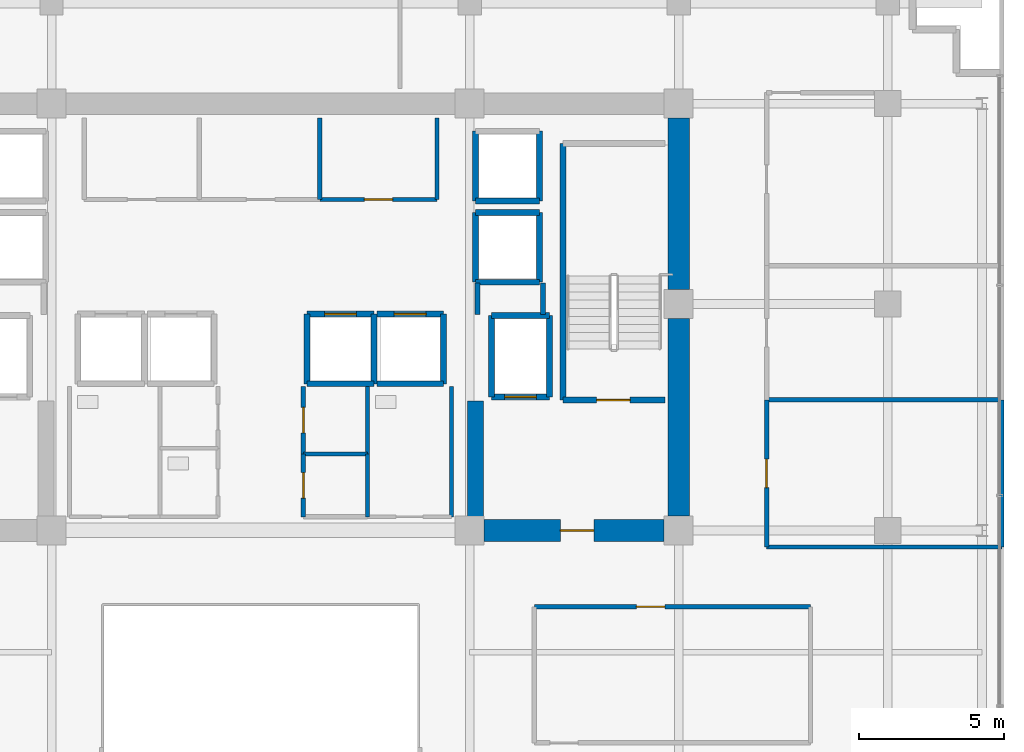
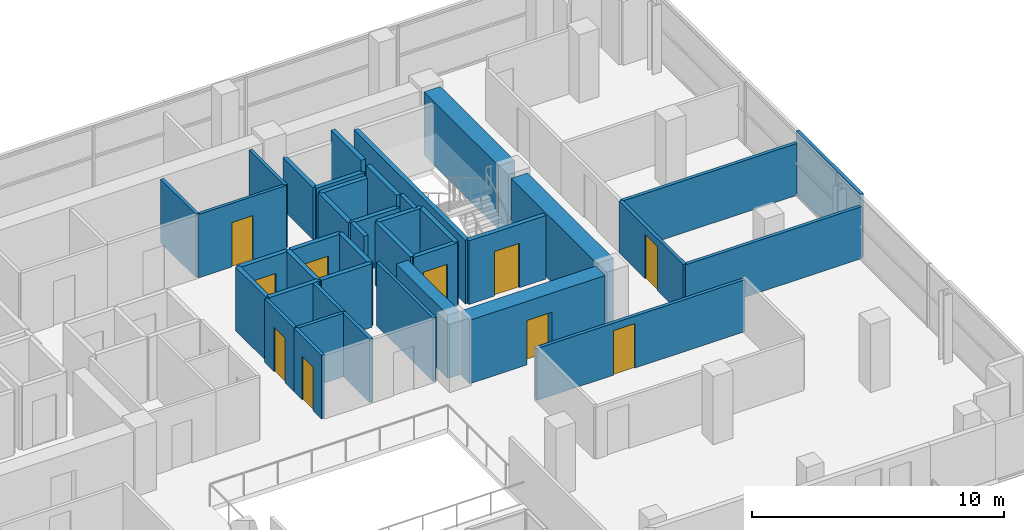
# One storey, part 22 of 27: 40 walls, 10 doors, 10 openings.
"""IFC4 building model written with IfcOpenShell, lengths in metres."""

from ifc_helpers import new_model, si_unit, direction, frame, frame_2d, origin, place, context, subcontext, project, spatial, rectangle, extrude, source, transform, mapped, material, layer, layer_set, type_object, element, fill, save


model = new_model("IFC4")

# Units and contexts
model_context = context("Model", 3, precision=1e-05, world=origin(), true_north=direction((0.0, 1.0)))
body_context = subcontext(model_context, "Body", "Model", "MODEL_VIEW")
ifc_project = project(units=[si_unit("LENGTHUNIT", "METRE"), si_unit("AREAUNIT", "SQUARE_METRE"), si_unit("VOLUMEUNIT", "CUBIC_METRE"), si_unit("PLANEANGLEUNIT", "RADIAN"), si_unit("MASSUNIT", "GRAM", prefix="KILO")], contexts=[model_context])

# Site, building, storey
site_placement = place(None, origin())
site = spatial("IfcSite", under=ifc_project, at=site_placement, CompositionType="ELEMENT")
building_placement = place(site_placement, origin())
building = spatial("IfcBuilding", under=site, at=building_placement, Name="Zarnakvel Exchange Tower", CompositionType="ELEMENT")
storey_placement = place(building_placement, frame((0.0, 0.0, 96.699951171875)))
storey = spatial("IfcBuildingStorey", under=building, at=storey_placement, Name="L26", CompositionType="ELEMENT", Elevation=96.699951171875)

# Walls
ifc_material_1 = material(Name="Concrete C60/75", Category="concrete")
ifc_layer_1 = layer(ifc_material_1, 0.75)
ifc_layer_set_1 = layer_set([ifc_layer_1], Name="Concrete C60/75")
wall_type_1 = type_object("IfcWallType", Name="CW-C3", PredefinedType="SHEAR", material=ifc_layer_set_1)
wall_1_placement = place(storey_placement, frame((14.39990234375, -0.699951171875, 0.0), z_axis=(0.0, 0.0, 1.0), x_axis=(0.0, 1.0, 0.0)))
element("IfcWall", 1, at=wall_1_placement, inside=storey, type_object=wall_type_1, Name="L26 Rear Core Shear Wall E1 (CW-C3)", PredefinedType="SHEAR", context=body_context, shape_type="SweptSolid", body=[
    extrude(rectangle(XDim=6.800048828125, YDim=0.75, at=frame_2d((3.39990234375, 0.0))), origin(), (0.0, 0.0, 1.0), 3.074951171875),
])
wall_2_placement = place(storey_placement, frame((14.39990234375, 7.10009765625, 0.0), z_axis=(0.0, 0.0, 1.0), x_axis=(0.0, 1.0, 0.0)))
element("IfcWall", 2, at=wall_2_placement, inside=storey, type_object=wall_type_1, Name="L26 Rear Core Shear Wall E2 (CW-C3)", PredefinedType="SHEAR", context=body_context, shape_type="SweptSolid", body=[
    extrude(rectangle(XDim=5.89990234375, YDim=0.75, at=frame_2d((2.949951171875, 0.0))), origin(), (0.0, 0.0, 1.0), 3.074951171875),
])

# Wall, opening, door
wall_3_placement = place(storey_placement, frame((13.89990234375, -1.199951171875, 0.0), z_axis=(0.0, 0.0, 1.0), x_axis=(-1.0, 0.0, 0.0)))
wall_3 = element("IfcWall", 3, at=wall_3_placement, inside=storey, type_object=wall_type_1, Name="L26 Rear Core Shear Wall SE (CW-C3)", PredefinedType="SHEAR", context=body_context, shape_type="SweptSolid", body=[
    extrude(rectangle(XDim=6.199951171875, YDim=0.75, at=frame_2d((3.10009765625, 0.0))), origin(), (0.0, 0.0, 1.0), 3.074951171875),
])
opening_1_placement = place(wall_3_placement, frame((2.425048828125, 0.0, 0.0)))
opening_1 = element("IfcOpeningElement", 4, at=opening_1_placement, cuts=wall_3, Name="Opening D-L26-04", PredefinedType="OPENING", context=body_context, shape_type="SweptSolid", body=[
    extrude(rectangle(XDim=1.14990234375, YDim=2.14990234375, at=frame_2d((0.574951171875, 1.074951171875))), frame((0.0, 0.385009765625, 0.0), z_axis=(0.0, -1.0, 0.0), x_axis=(1.0, 0.0, 0.0)), (0.0, 0.0, 1.0), 0.77001953125),
])
ifc_material_2 = material(Name="Painted Galvanised Steel S355", Category="steel")
door_type_1 = type_object("IfcDoorType", Name="DT-04", OperationType="NOTDEFINED", PredefinedType="DOOR", material=ifc_material_2)
shared_shape_1 = source(origin(), body_context, "Body", "SweptSolid", [
    extrude(rectangle(XDim=1.14990234375, YDim=2.14990234375, at=frame_2d((0.574951171875, 1.074951171875))), frame((0.0, 0.02490234375, 0.0), z_axis=(0.0, -1.0, 0.0), x_axis=(1.0, 0.0, 0.0)), (0.0, 0.0, 1.0), 0.050048828125),
])
door_1_placement = place(opening_1_placement, origin())
door_1 = element("IfcDoor", 5, at=door_1_placement, inside=storey, type_object=door_type_1, Name="L26 Firefighting Lobby East Door D-L26-04", OperationType="SINGLE_SWING_LEFT", OverallHeight=2.14990234375, OverallWidth=1.14990234375, PredefinedType="DOOR", context=body_context, shape_type="MappedRepresentation", body=[
    mapped(shared_shape_1, transform((0.0, 0.0, 0.0), x_axis=(1.0, 0.0, 0.0), y_axis=(0.0, 1.0, 0.0), z_axis=(0.0, 0.0, 1.0), scale=1.0)),
])
fill(opening_1, door_1)

# Walls
ifc_layer_2 = layer(ifc_material_1, 0.550048828125)
ifc_layer_set_2 = layer_set([ifc_layer_2], Name="Concrete C60/75")
wall_type_2 = type_object("IfcWallType", Name="CW-C4", PredefinedType="SHEAR", material=ifc_layer_set_2)
wall_4_placement = place(storey_placement, frame((7.39990234375, -0.824951171875, 0.0), z_axis=(0.0, 0.0, 1.0), x_axis=(0.0, 1.0, 0.0)))
element("IfcWall", 6, at=wall_4_placement, inside=storey, type_object=wall_type_2, Name="L26 Rear Core Shear Wall IE (CW-C4)", PredefinedType="SHEAR", context=body_context, shape_type="SweptSolid", body=[
    extrude(rectangle(XDim=4.074951171875, YDim=0.550048828125, at=frame_2d((2.03759765625, 0.0))), origin(), (0.0, 0.0, 1.0), 3.074951171875),
])
ifc_material_3 = material(Name="Fire-Rated Gypsum Stud Partition", Category="gypsum")
ifc_layer_3 = layer(ifc_material_3, 0.14990234375)
ifc_layer_set_3 = layer_set([ifc_layer_3], Name="Fire-Rated Gypsum Stud Partition")
wall_type_3 = type_object("IfcWallType", Name="PT-01", PredefinedType="PARTITIONING", material=ifc_layer_set_3)
wall_5_placement = place(storey_placement, frame((2.0400390625, 13.0, 0.0), z_axis=(0.0, 0.0, 1.0), x_axis=(0.0, -1.0, 0.0)))
element("IfcWall", 7, at=wall_5_placement, inside=storey, type_object=wall_type_3, Name="L26 Partition Wall PWALL-L26-015 (PT-01)", PredefinedType="PARTITIONING", context=body_context, shape_type="SweptSolid", body=[
    extrude(rectangle(XDim=2.800048828125, YDim=0.14990234375, at=frame_2d((1.39990234375, 0.0))), origin(), (0.0, 0.0, 1.0), 3.074951171875),
])
wall_6_placement = place(storey_placement, frame((1.469970703125, 1.429931640625, 0.0), z_axis=(0.0, 0.0, 1.0), x_axis=(1.0, 0.0, 0.0)))
element("IfcWall", 8, at=wall_6_placement, inside=storey, type_object=wall_type_3, Name="L26 Partition Wall PWALL-L26-026 (PT-01)", PredefinedType="PARTITIONING", context=body_context, shape_type="SweptSolid", body=[
    extrude(rectangle(XDim=2.2099609375, YDim=0.14990234375, at=frame_2d((1.10498046875, 0.0))), origin(), (0.0, 0.0, 1.0), 3.074951171875),
])

# Wall, opening, door
wall_7_placement = place(storey_placement, frame((1.469970703125, -0.72998046875, 0.0), z_axis=(0.0, 0.0, 1.0), x_axis=(0.0, 1.0, 0.0)))
wall_7 = element("IfcWall", 9, at=wall_7_placement, inside=storey, type_object=wall_type_3, Name="L26 Partition Wall PWALL-L26-027 (PT-01)", PredefinedType="PARTITIONING", context=body_context, shape_type="SweptSolid", body=[
    extrude(rectangle(XDim=2.159912109375, YDim=0.14990234375, at=frame_2d((1.080078125, 0.0))), origin(), (0.0, 0.0, 1.0), 3.074951171875),
])
opening_2_placement = place(wall_7_placement, frame((0.639892578125, 0.0, 0.0)))
opening_2 = element("IfcOpeningElement", 10, at=opening_2_placement, cuts=wall_7, Name="Opening D-L26-11", PredefinedType="OPENING", context=body_context, shape_type="SweptSolid", body=[
    extrude(rectangle(XDim=0.8798828125, YDim=2.10009765625, at=frame_2d((0.43994140625, 1.050048828125))), frame((0.0, 0.0849609375, 0.0), z_axis=(0.0, -1.0, 0.0), x_axis=(1.0, 0.0, 0.0)), (0.0, 0.0, 1.0), 0.169921875),
])
door_type_2 = type_object("IfcDoorType", Name="DT-08", OperationType="NOTDEFINED", PredefinedType="DOOR", material=ifc_material_2)
shared_shape_2 = source(origin(), body_context, "Body", "SweptSolid", [
    extrude(rectangle(XDim=0.8798828125, YDim=2.10009765625, at=frame_2d((0.43994140625, 1.050048828125))), frame((0.0, 0.02490234375, 0.0), z_axis=(0.0, -1.0, 0.0), x_axis=(1.0, 0.0, 0.0)), (0.0, 0.0, 1.0), 0.050048828125),
])
door_2_placement = place(opening_2_placement, origin())
door_2 = element("IfcDoor", 11, at=door_2_placement, inside=storey, type_object=door_type_2, Name="L26 Janitor Store Door D-L26-11", OperationType="SINGLE_SWING_RIGHT", OverallHeight=2.10009765625, OverallWidth=0.8798828125, PredefinedType="DOOR", context=body_context, shape_type="MappedRepresentation", body=[
    mapped(shared_shape_2, transform((0.0, 0.0, 0.0), x_axis=(1.0, 0.0, 0.0), y_axis=(0.0, 1.0, 0.0), z_axis=(0.0, 0.0, 1.0), scale=1.0)),
])
fill(opening_2, door_2)

# Wall
wall_8_placement = place(storey_placement, frame((3.679931640625, 1.429931640625, 0.0), z_axis=(0.0, 0.0, 1.0), x_axis=(0.0, -1.0, 0.0)))
element("IfcWall", 12, at=wall_8_placement, inside=storey, type_object=wall_type_3, Name="L26 Partition Wall PWALL-L26-028 (PT-01)", PredefinedType="PARTITIONING", context=body_context, shape_type="SweptSolid", body=[
    extrude(rectangle(XDim=2.159912109375, YDim=0.14990234375, at=frame_2d((1.080078125, 0.0))), origin(), (0.0, 0.0, 1.0), 3.074951171875),
])

# Wall, opening, door
wall_9_placement = place(storey_placement, frame((1.469970703125, 1.429931640625, 0.0), z_axis=(0.0, 0.0, 1.0), x_axis=(0.0, 1.0, 0.0)))
wall_9 = element("IfcWall", 13, at=wall_9_placement, inside=storey, type_object=wall_type_3, Name="L26 Partition Wall PWALL-L26-029 (PT-01)", PredefinedType="PARTITIONING", context=body_context, shape_type="SweptSolid", body=[
    extrude(rectangle(XDim=2.330078125, YDim=0.14990234375, at=frame_2d((1.1650390625, 0.0))), origin(), (0.0, 0.0, 1.0), 3.074951171875),
])
opening_3_placement = place(wall_9_placement, frame((0.72998046875, 0.0, 0.0)))
opening_3 = element("IfcOpeningElement", 14, at=opening_3_placement, cuts=wall_9, Name="Opening D-L26-12", PredefinedType="OPENING", context=body_context, shape_type="SweptSolid", body=[
    extrude(rectangle(XDim=0.8798828125, YDim=2.14990234375, at=frame_2d((0.43994140625, 1.074951171875))), frame((0.0, 0.0849609375, 0.0), z_axis=(0.0, -1.0, 0.0), x_axis=(1.0, 0.0, 0.0)), (0.0, 0.0, 1.0), 0.169921875),
])
ifc_material_4 = material(Name="Timber Acoustic Veneer", Category="wood")
door_type_3 = type_object("IfcDoorType", Name="DT-05", OperationType="NOTDEFINED", PredefinedType="DOOR", material=ifc_material_4)
shared_shape_3 = source(origin(), body_context, "Body", "SweptSolid", [
    extrude(rectangle(XDim=0.8798828125, YDim=2.14990234375, at=frame_2d((0.43994140625, 1.074951171875))), frame((0.0, 0.02490234375, 0.0), z_axis=(0.0, -1.0, 0.0), x_axis=(1.0, 0.0, 0.0)), (0.0, 0.0, 1.0), 0.050048828125),
])
door_3_placement = place(opening_3_placement, origin())
door_3 = element("IfcDoor", 15, at=door_3_placement, inside=storey, type_object=door_type_3, Name="L26 Stationery Store Door D-L26-12", OperationType="SINGLE_SWING_LEFT", OverallHeight=2.14990234375, OverallWidth=0.8798828125, PredefinedType="DOOR", context=body_context, shape_type="MappedRepresentation", body=[
    mapped(shared_shape_3, transform((0.0, 0.0, 0.0), x_axis=(1.0, 0.0, 0.0), y_axis=(0.0, 1.0, 0.0), z_axis=(0.0, 0.0, 1.0), scale=1.0)),
])
fill(opening_3, door_3)

# Wall
wall_10_placement = place(storey_placement, frame((3.679931640625, 3.760009765625, 0.0), z_axis=(0.0, 0.0, 1.0), x_axis=(0.0, -1.0, 0.0)))
element("IfcWall", 16, at=wall_10_placement, inside=storey, type_object=wall_type_3, Name="L26 Partition Wall PWALL-L26-030 (PT-01)", PredefinedType="PARTITIONING", context=body_context, shape_type="SweptSolid", body=[
    extrude(rectangle(XDim=2.330078125, YDim=0.14990234375, at=frame_2d((1.1650390625, 0.0))), origin(), (0.0, 0.0, 1.0), 3.074951171875),
])

# Wall, opening, door
wall_11_placement = place(storey_placement, frame((9.429931640625, -3.830078125, 0.0), z_axis=(0.0, 0.0, 1.0), x_axis=(1.0, 0.0, 0.0)))
wall_11 = element("IfcWall", 17, at=wall_11_placement, inside=storey, type_object=wall_type_3, Name="L26 Partition Wall PWALL-L26-044 (PT-01)", PredefinedType="PARTITIONING", context=body_context, shape_type="SweptSolid", body=[
    extrude(rectangle(XDim=9.51123046875, YDim=0.14990234375, at=frame_2d((4.755615234375, 0.0))), origin(), (0.0, 0.0, 1.0), 2.51513671875),
])
opening_4_placement = place(wall_11_placement, frame((3.510009765625, 0.0, 0.0)))
opening_4 = element("IfcOpeningElement", 18, at=opening_4_placement, cuts=wall_11, Name="Opening D-L26-17", PredefinedType="OPENING", context=body_context, shape_type="SweptSolid", body=[
    extrude(rectangle(XDim=0.97998046875, YDim=2.14990234375, at=frame_2d((0.489990234375, 1.074951171875))), frame((0.0, 0.0849609375, 0.0), z_axis=(0.0, -1.0, 0.0), x_axis=(1.0, 0.0, 0.0)), (0.0, 0.0, 1.0), 0.169921875),
])
shared_shape_4 = source(origin(), body_context, "Body", "SweptSolid", [
    extrude(rectangle(XDim=0.97998046875, YDim=2.14990234375, at=frame_2d((0.489990234375, 1.074951171875))), frame((0.0, 0.02490234375, 0.0), z_axis=(0.0, -1.0, 0.0), x_axis=(1.0, 0.0, 0.0)), (0.0, 0.0, 1.0), 0.050048828125),
])
door_4_placement = place(opening_4_placement, origin())
door_4 = element("IfcDoor", 19, at=door_4_placement, inside=storey, type_object=door_type_3, Name="L26 Executive Office Door D-L26-17", OperationType="SINGLE_SWING_RIGHT", OverallHeight=2.14990234375, OverallWidth=0.97998046875, PredefinedType="DOOR", context=body_context, shape_type="MappedRepresentation", body=[
    mapped(shared_shape_4, transform((0.0, 0.0, 0.0), x_axis=(1.0, 0.0, 0.0), y_axis=(0.0, 1.0, 0.0), z_axis=(0.0, 0.0, 1.0), scale=1.0)),
])
fill(opening_4, door_4)

# Walls
for number, where, z_axis, x_axis, name in (
    (20, (25.530029296875, -1.77001953125, 0.0), (0.0, 0.0, 1.0), (-1.0, 0.0, 0.0), "L26 Partition Wall PWALL-L26-054 (PT-01)"),
    (21, (17.429931640625, 3.2978515625, 0.0), (0.0, 0.0, 1.0), (1.0, 0.0, 0.0), "L26 Partition Wall PWALL-L26-055 (PT-01)"),
):
    element("IfcWall", number, at=place(storey_placement, frame(where, z_axis=z_axis, x_axis=x_axis)), inside=storey, type_object=wall_type_3, Name=name, PredefinedType="PARTITIONING", context=body_context, shape_type="SweptSolid", body=[
        extrude(rectangle(XDim=8.10009765625, YDim=0.14990234375, at=frame_2d((4.050048828125, 0.0))), origin(), (0.0, 0.0, 1.0), 2.51513671875),
    ])

# Wall, opening, door
wall_12_placement = place(storey_placement, frame((17.429931640625, -1.77001953125, 0.0), z_axis=(0.0, 0.0, 1.0), x_axis=(0.0, 1.0, 0.0)))
wall_12 = element("IfcWall", 22, at=wall_12_placement, inside=storey, type_object=wall_type_3, Name="L26 Partition Wall PWALL-L26-056 (PT-01)", PredefinedType="PARTITIONING", context=body_context, shape_type="SweptSolid", body=[
    extrude(rectangle(XDim=5.06787109375, YDim=0.14990234375, at=frame_2d((2.533935546875, 0.0))), origin(), (0.0, 0.0, 1.0), 2.51513671875),
])
opening_5_placement = place(wall_12_placement, frame((2.0439453125, 0.0, 0.0)))
opening_5 = element("IfcOpeningElement", 23, at=opening_5_placement, cuts=wall_12, Name="Opening D-L26-20", PredefinedType="OPENING", context=body_context, shape_type="SweptSolid", body=[
    extrude(rectangle(XDim=0.97998046875, YDim=2.14990234375, at=frame_2d((0.489990234375, 1.074951171875))), frame((0.0, 0.0849609375, 0.0), z_axis=(0.0, -1.0, 0.0), x_axis=(1.0, 0.0, 0.0)), (0.0, 0.0, 1.0), 0.169921875),
])
door_5_placement = place(opening_5_placement, origin())
door_5 = element("IfcDoor", 24, at=door_5_placement, inside=storey, type_object=door_type_3, Name="L26 Breakout Pantry Door D-L26-20", OperationType="SINGLE_SWING_LEFT", OverallHeight=2.14990234375, OverallWidth=0.97998046875, PredefinedType="DOOR", context=body_context, shape_type="MappedRepresentation", body=[
    mapped(shared_shape_4, transform((0.0, 0.0, 0.0), x_axis=(1.0, 0.0, 0.0), y_axis=(0.0, 1.0, 0.0), z_axis=(0.0, 0.0, 1.0), scale=1.0)),
])
fill(opening_5, door_5)

# Walls
wall_13_placement = place(storey_placement, frame((25.530029296875, 3.2978515625, 0.0), z_axis=(0.0, 0.0, 1.0), x_axis=(0.0, -1.0, 0.0)))
element("IfcWall", 25, at=wall_13_placement, inside=storey, type_object=wall_type_3, Name="L26 Partition Wall PWALL-L26-057 (PT-01)", PredefinedType="PARTITIONING", context=body_context, shape_type="SweptSolid", body=[
    extrude(rectangle(XDim=5.06787109375, YDim=0.14990234375, at=frame_2d((2.533935546875, 0.0))), origin(), (0.0, 0.0, 1.0), 3.074951171875),
])
ifc_layer_4 = layer(ifc_material_3, 0.179931640625)
ifc_layer_set_4 = layer_set([ifc_layer_4], Name="Fire-Rated Gypsum Stud Partition")
wall_type_4 = type_object("IfcWallType", Name="PT-02", PredefinedType="PARTITIONING", material=ifc_layer_set_4)
wall_14_placement = place(storey_placement, frame((7.469970703125, 6.239990234375, 0.0), z_axis=(0.0, 0.0, 1.0), x_axis=(0.0, 1.0, 0.0)))
element("IfcWall", 26, at=wall_14_placement, inside=storey, type_object=wall_type_4, Name="L26 Partition Wall PWALL-L26-009 (PT-02)", PredefinedType="PARTITIONING", context=body_context, shape_type="SweptSolid", body=[
    extrude(rectangle(XDim=1.090087890625, YDim=0.179931640625, at=frame_2d((0.544921875, 0.0))), origin(), (0.0, 0.0, 1.0), 2.51513671875),
])
wall_15_placement = place(storey_placement, frame((9.72998046875, 7.330078125, 0.0), z_axis=(0.0, 0.0, 1.0), x_axis=(0.0, -1.0, 0.0)))
element("IfcWall", 27, at=wall_15_placement, inside=storey, type_object=wall_type_4, Name="L26 Partition Wall PWALL-L26-010 (PT-02)", PredefinedType="PARTITIONING", context=body_context, shape_type="SweptSolid", body=[
    extrude(rectangle(XDim=1.090087890625, YDim=0.179931640625, at=frame_2d((0.544921875, 0.0))), origin(), (0.0, 0.0, 1.0), 3.074951171875),
])

# Wall, opening, door
ifc_material_5 = material(Name="Moisture-Resistant Tile-Faced Partition", Category="gypsum")
ifc_layer_5 = layer(ifc_material_5, 0.135009765625)
ifc_layer_set_5 = layer_set([ifc_layer_5], Name="Moisture-Resistant Tile-Faced Partition")
wall_type_5 = type_object("IfcWallType", Name="PT-03", PredefinedType="PARTITIONING", material=ifc_layer_set_5)
wall_16_placement = place(storey_placement, frame((6.080078125, 10.199951171875, 0.0), z_axis=(0.0, 0.0, 1.0), x_axis=(-1.0, 0.0, 0.0)))
wall_16 = element("IfcWall", 28, at=wall_16_placement, inside=storey, type_object=wall_type_5, Name="L26 Partition Wall PWALL-L26-016 (PT-03)", PredefinedType="PARTITIONING", context=body_context, shape_type="SweptSolid", body=[
    extrude(rectangle(XDim=4.0400390625, YDim=0.135009765625, at=frame_2d((2.02001953125, 0.0))), origin(), (0.0, 0.0, 1.0), 3.074951171875),
])
opening_6_placement = place(wall_16_placement, frame((1.530029296875, 0.0, 0.0)))
opening_6 = element("IfcOpeningElement", 29, at=opening_6_placement, cuts=wall_16, Name="Opening D-L26-07", PredefinedType="OPENING", context=body_context, shape_type="SweptSolid", body=[
    extrude(rectangle(XDim=0.97998046875, YDim=2.14990234375, at=frame_2d((0.489990234375, 1.074951171875))), frame((0.0, 0.077392578125, 0.0), z_axis=(0.0, -1.0, 0.0), x_axis=(1.0, 0.0, 0.0)), (0.0, 0.0, 1.0), 0.155029296875),
])
door_6_placement = place(opening_6_placement, origin())
door_6 = element("IfcDoor", 30, at=door_6_placement, inside=storey, type_object=door_type_3, Name="L26 Executive Tea Pantry Door D-L26-07", OperationType="SINGLE_SWING_RIGHT", OverallHeight=2.14990234375, OverallWidth=0.97998046875, PredefinedType="DOOR", context=body_context, shape_type="MappedRepresentation", body=[
    mapped(shared_shape_4, transform((0.0, 0.0, 0.0), x_axis=(1.0, 0.0, 0.0), y_axis=(0.0, 1.0, 0.0), z_axis=(0.0, 0.0, 1.0), scale=1.0)),
])
fill(opening_6, door_6)

# Walls
wall_17_placement = place(storey_placement, frame((6.080078125, 13.0, 0.0), z_axis=(0.0, 0.0, 1.0), x_axis=(0.0, -1.0, 0.0)))
element("IfcWall", 31, at=wall_17_placement, inside=storey, type_object=wall_type_5, Name="L26 Partition Wall PWALL-L26-017 (PT-03)", PredefinedType="PARTITIONING", context=body_context, shape_type="SweptSolid", body=[
    extrude(rectangle(XDim=2.800048828125, YDim=0.135009765625, at=frame_2d((1.39990234375, 0.0))), origin(), (0.0, 0.0, 1.0), 3.074951171875),
])
wall_18_placement = place(storey_placement, frame((6.580078125, 3.760009765625, 0.0), z_axis=(0.0, 0.0, 1.0), x_axis=(0.0, -1.0, 0.0)))
element("IfcWall", 32, at=wall_18_placement, inside=storey, type_object=wall_type_5, Name="L26 Partition Wall PWALL-L26-032 (PT-03)", PredefinedType="PARTITIONING", context=body_context, shape_type="SweptSolid", body=[
    extrude(rectangle(XDim=4.489990234375, YDim=0.135009765625, at=frame_2d((2.2451171875, 0.0))), origin(), (0.0, 0.0, 1.0), 3.074951171875),
])

# Wall, opening, door
ifc_material_6 = material(Name="Concrete C40/50", Category="concrete")
ifc_layer_6 = layer(ifc_material_6, 0.199951171875)
ifc_layer_set_6 = layer_set([ifc_layer_6], Name="Concrete C40/50")
wall_type_6 = type_object("IfcWallType", Name="SW-01", PredefinedType="SOLIDWALL", material=ifc_layer_set_6)
wall_19_placement = place(storey_placement, frame((9.949951171875, 3.39990234375, 0.0), z_axis=(0.0, 0.0, 1.0), x_axis=(-1.0, 0.0, 0.0)))
wall_19 = element("IfcWall", 33, at=wall_19_placement, inside=storey, type_object=wall_type_6, Name="L26 FL-02 Hoistway Wall South", PredefinedType="SOLIDWALL", context=body_context, shape_type="SweptSolid", body=[
    extrude(rectangle(XDim=2.0, YDim=0.199951171875, at=frame_2d((1.0, 0.0))), origin(), (0.0, 0.0, 1.0), 3.074951171875),
])
opening_7_placement = place(wall_19_placement, frame((0.449951171875, 0.0, 0.0)))
opening_7 = element("IfcOpeningElement", 34, at=opening_7_placement, cuts=wall_19, Name="Opening LD-FL-02-L26", PredefinedType="OPENING", context=body_context, shape_type="SweptSolid", body=[
    extrude(rectangle(XDim=1.10009765625, YDim=2.199951171875, at=frame_2d((0.550048828125, 1.10009765625))), frame((0.0, 0.10986328125, 0.0), z_axis=(0.0, -1.0, 0.0), x_axis=(1.0, 0.0, 0.0)), (0.0, 0.0, 1.0), 0.219970703125),
])
ifc_material_7 = material(Name="Brushed Stainless Steel", Category="steel")
door_type_4 = type_object("IfcDoorType", Name="LDT-01", OperationType="NOTDEFINED", PredefinedType="DOOR", material=ifc_material_7)
shared_shape_5 = source(origin(), body_context, "Body", "SweptSolid", [
    extrude(rectangle(XDim=1.10009765625, YDim=2.199951171875, at=frame_2d((0.550048828125, 1.10009765625))), frame((0.0, 0.02490234375, 0.0), z_axis=(0.0, -1.0, 0.0), x_axis=(1.0, 0.0, 0.0)), (0.0, 0.0, 1.0), 0.050048828125),
])
door_7_placement = place(opening_7_placement, origin())
door_7 = element("IfcDoor", 35, at=door_7_placement, inside=storey, type_object=door_type_4, Name="L26 FL-02 Lift Landing Door LD-FL-02-L26", OperationType="DOUBLE_DOOR_SLIDING", OverallHeight=2.199951171875, OverallWidth=1.10009765625, PredefinedType="DOOR", context=body_context, shape_type="MappedRepresentation", body=[
    mapped(shared_shape_5, transform((0.0, 0.0, 0.0), x_axis=(1.0, 0.0, 0.0), y_axis=(0.0, 1.0, 0.0), z_axis=(0.0, 0.0, 1.0), scale=1.0)),
])
fill(opening_7, door_7)

# Walls
wall_20_placement = place(storey_placement, frame((7.949951171875, 6.199951171875, 0.0), z_axis=(0.0, 0.0, 1.0), x_axis=(1.0, 0.0, 0.0)))
element("IfcWall", 36, at=wall_20_placement, inside=storey, type_object=wall_type_6, Name="L26 FL-02 Hoistway Wall North", PredefinedType="SOLIDWALL", context=body_context, shape_type="SweptSolid", body=[
    extrude(rectangle(XDim=2.0, YDim=0.199951171875, at=frame_2d((1.0, 0.0))), origin(), (0.0, 0.0, 1.0), 3.074951171875),
])
for number, where, z_axis, x_axis, name in (
    (37, (7.949951171875, 3.39990234375, 0.0), (0.0, 0.0, 1.0), (0.0, 1.0, 0.0), "L26 FL-02 Hoistway Wall West"),
    (38, (9.949951171875, 6.199951171875, 0.0), (0.0, 0.0, 1.0), (0.0, -1.0, 0.0), "L26 FL-02 Hoistway Wall East"),
):
    element("IfcWall", number, at=place(storey_placement, frame(where, z_axis=z_axis, x_axis=x_axis)), inside=storey, type_object=wall_type_6, Name=name, PredefinedType="SOLIDWALL", context=body_context, shape_type="SweptSolid", body=[
        extrude(rectangle(XDim=2.800048828125, YDim=0.199951171875, at=frame_2d((1.39990234375, 0.0))), origin(), (0.0, 0.0, 1.0), 3.074951171875),
    ])
wall_21_placement = place(storey_placement, frame((3.89990234375, 3.85009765625, 0.0), z_axis=(0.0, 0.0, 1.0), x_axis=(-1.0, 0.0, 0.0)))
element("IfcWall", 39, at=wall_21_placement, inside=storey, type_object=wall_type_6, Name="L26 PL-07 Hoistway Wall South", PredefinedType="SOLIDWALL", context=body_context, shape_type="SweptSolid", body=[
    extrude(rectangle(XDim=2.2998046875, YDim=0.199951171875, at=frame_2d((1.14990234375, 0.0))), origin(), (0.0, 0.0, 1.0), 3.074951171875),
])

# Wall, opening, door
wall_22_placement = place(storey_placement, frame((1.60009765625, 6.25, 0.0), z_axis=(0.0, 0.0, 1.0), x_axis=(1.0, 0.0, 0.0)))
wall_22 = element("IfcWall", 40, at=wall_22_placement, inside=storey, type_object=wall_type_6, Name="L26 PL-07 Hoistway Wall North", PredefinedType="SOLIDWALL", context=body_context, shape_type="SweptSolid", body=[
    extrude(rectangle(XDim=2.2998046875, YDim=0.199951171875, at=frame_2d((1.14990234375, 0.0))), origin(), (0.0, 0.0, 1.0), 3.074951171875),
])
opening_8_placement = place(wall_22_placement, frame((0.60009765625, 0.0, 0.0)))
opening_8 = element("IfcOpeningElement", 41, at=opening_8_placement, cuts=wall_22, Name="Opening LD-PL-07-L26", PredefinedType="OPENING", context=body_context, shape_type="SweptSolid", body=[
    extrude(rectangle(XDim=1.10009765625, YDim=2.199951171875, at=frame_2d((0.550048828125, 1.10009765625))), frame((0.0, 0.10986328125, 0.0), z_axis=(0.0, -1.0, 0.0), x_axis=(1.0, 0.0, 0.0)), (0.0, 0.0, 1.0), 0.219970703125),
])
ifc_material_8 = material(Name="Architectural Bronze Anodised Aluminium", Category="aluminium")
door_type_5 = type_object("IfcDoorType", Name="LDT-02", OperationType="NOTDEFINED", PredefinedType="DOOR", material=ifc_material_8)
door_8_placement = place(opening_8_placement, origin())
door_8 = element("IfcDoor", 42, at=door_8_placement, inside=storey, type_object=door_type_5, Name="L26 PL-07 Lift Landing Door LD-PL-07-L26", OperationType="DOUBLE_DOOR_SLIDING", OverallHeight=2.199951171875, OverallWidth=1.10009765625, PredefinedType="DOOR", context=body_context, shape_type="MappedRepresentation", body=[
    mapped(shared_shape_5, transform((0.0, 0.0, 0.0), x_axis=(1.0, 0.0, 0.0), y_axis=(0.0, 1.0, 0.0), z_axis=(0.0, 0.0, 1.0), scale=1.0)),
])
fill(opening_8, door_8)

# Walls
for number, where, z_axis, x_axis, name in (
    (43, (1.60009765625, 3.85009765625, 0.0), (0.0, 0.0, 1.0), (0.0, 1.0, 0.0), "L26 PL-07 Hoistway Wall West"),
    (44, (3.89990234375, 6.25, 0.0), (0.0, 0.0, 1.0), (0.0, -1.0, 0.0), "L26 PL-07 Hoistway Wall East"),
):
    element("IfcWall", number, at=place(storey_placement, frame(where, z_axis=z_axis, x_axis=x_axis)), inside=storey, type_object=wall_type_6, Name=name, PredefinedType="SOLIDWALL", context=body_context, shape_type="SweptSolid", body=[
        extrude(rectangle(XDim=2.39990234375, YDim=0.199951171875, at=frame_2d((1.199951171875, 0.0))), origin(), (0.0, 0.0, 1.0), 3.074951171875),
    ])
wall_23_placement = place(storey_placement, frame((6.300048828125, 3.85009765625, 0.0), z_axis=(0.0, 0.0, 1.0), x_axis=(-1.0, 0.0, 0.0)))
element("IfcWall", 45, at=wall_23_placement, inside=storey, type_object=wall_type_6, Name="L26 PL-08 Hoistway Wall South", PredefinedType="SOLIDWALL", context=body_context, shape_type="SweptSolid", body=[
    extrude(rectangle(XDim=2.300048828125, YDim=0.199951171875, at=frame_2d((1.14990234375, 0.0))), origin(), (0.0, 0.0, 1.0), 3.074951171875),
])

# Wall, opening, door
wall_24_placement = place(storey_placement, frame((4.0, 6.25, 0.0), z_axis=(0.0, 0.0, 1.0), x_axis=(1.0, 0.0, 0.0)))
wall_24 = element("IfcWall", 46, at=wall_24_placement, inside=storey, type_object=wall_type_6, Name="L26 PL-08 Hoistway Wall North", PredefinedType="SOLIDWALL", context=body_context, shape_type="SweptSolid", body=[
    extrude(rectangle(XDim=2.300048828125, YDim=0.199951171875, at=frame_2d((1.14990234375, 0.0))), origin(), (0.0, 0.0, 1.0), 3.074951171875),
])
opening_9_placement = place(wall_24_placement, frame((0.60009765625, 0.0, 0.0)))
opening_9 = element("IfcOpeningElement", 47, at=opening_9_placement, cuts=wall_24, Name="Opening LD-PL-08-L26", PredefinedType="OPENING", context=body_context, shape_type="SweptSolid", body=[
    extrude(rectangle(XDim=1.10009765625, YDim=2.199951171875, at=frame_2d((0.550048828125, 1.10009765625))), frame((0.0, 0.10986328125, 0.0), z_axis=(0.0, -1.0, 0.0), x_axis=(1.0, 0.0, 0.0)), (0.0, 0.0, 1.0), 0.219970703125),
])
door_9_placement = place(opening_9_placement, origin())
door_9 = element("IfcDoor", 48, at=door_9_placement, inside=storey, type_object=door_type_5, Name="L26 PL-08 Lift Landing Door LD-PL-08-L26", OperationType="DOUBLE_DOOR_SLIDING", OverallHeight=2.199951171875, OverallWidth=1.10009765625, PredefinedType="DOOR", context=body_context, shape_type="MappedRepresentation", body=[
    mapped(shared_shape_5, transform((0.0, 0.0, 0.0), x_axis=(1.0, 0.0, 0.0), y_axis=(0.0, 1.0, 0.0), z_axis=(0.0, 0.0, 1.0), scale=1.0)),
])
fill(opening_9, door_9)

# Walls
wall_25_placement = place(storey_placement, frame((6.300048828125, 6.25, 0.0), z_axis=(0.0, 0.0, 1.0), x_axis=(0.0, -1.0, 0.0)))
element("IfcWall", 49, at=wall_25_placement, inside=storey, type_object=wall_type_6, Name="L26 PL-08 Hoistway Wall East", PredefinedType="SOLIDWALL", context=body_context, shape_type="SweptSolid", body=[
    extrude(rectangle(XDim=2.39990234375, YDim=0.199951171875, at=frame_2d((1.199951171875, 0.0))), origin(), (0.0, 0.0, 1.0), 3.074951171875),
])
for number, where, z_axis, x_axis, name in (
    (50, (9.60009765625, 7.35009765625, 0.0), (0.0, 0.0, 1.0), (-1.0, 0.0, 0.0), "L26 PL-11 Hoistway Wall South"),
    (51, (7.39990234375, 9.75, 0.0), (0.0, 0.0, 1.0), (1.0, 0.0, 0.0), "L26 PL-11 Hoistway Wall North"),
):
    element("IfcWall", number, at=place(storey_placement, frame(where, z_axis=z_axis, x_axis=x_axis)), inside=storey, type_object=wall_type_6, Name=name, PredefinedType="SOLIDWALL", context=body_context, shape_type="SweptSolid", body=[
        extrude(rectangle(XDim=2.2001953125, YDim=0.199951171875, at=frame_2d((1.10009765625, 0.0))), origin(), (0.0, 0.0, 1.0), 2.51513671875),
    ])
wall_26_placement = place(storey_placement, frame((7.39990234375, 7.35009765625, 0.0), z_axis=(0.0, 0.0, 1.0), x_axis=(0.0, 1.0, 0.0)))
element("IfcWall", 52, at=wall_26_placement, inside=storey, type_object=wall_type_6, Name="L26 PL-11 Hoistway Wall West", PredefinedType="SOLIDWALL", context=body_context, shape_type="SweptSolid", body=[
    extrude(rectangle(XDim=2.39990234375, YDim=0.199951171875, at=frame_2d((1.199951171875, 0.0))), origin(), (0.0, 0.0, 1.0), 2.51513671875),
])
wall_27_placement = place(storey_placement, frame((9.60009765625, 9.75, 0.0), z_axis=(0.0, 0.0, 1.0), x_axis=(0.0, -1.0, 0.0)))
element("IfcWall", 53, at=wall_27_placement, inside=storey, type_object=wall_type_6, Name="L26 PL-11 Hoistway Wall East", PredefinedType="SOLIDWALL", context=body_context, shape_type="SweptSolid", body=[
    extrude(rectangle(XDim=2.39990234375, YDim=0.199951171875, at=frame_2d((1.199951171875, 0.0))), origin(), (0.0, 0.0, 1.0), 3.074951171875),
])
wall_28_placement = place(storey_placement, frame((9.60009765625, 10.14990234375, 0.0), z_axis=(0.0, 0.0, 1.0), x_axis=(-1.0, 0.0, 0.0)))
element("IfcWall", 54, at=wall_28_placement, inside=storey, type_object=wall_type_6, Name="L26 PL-12 Hoistway Wall South", PredefinedType="SOLIDWALL", context=body_context, shape_type="SweptSolid", body=[
    extrude(rectangle(XDim=2.2001953125, YDim=0.199951171875, at=frame_2d((1.10009765625, 0.0))), origin(), (0.0, 0.0, 1.0), 2.51513671875),
])
wall_29_placement = place(storey_placement, frame((7.39990234375, 10.14990234375, 0.0), z_axis=(0.0, 0.0, 1.0), x_axis=(0.0, 1.0, 0.0)))
element("IfcWall", 55, at=wall_29_placement, inside=storey, type_object=wall_type_6, Name="L26 PL-12 Hoistway Wall West", PredefinedType="SOLIDWALL", context=body_context, shape_type="SweptSolid", body=[
    extrude(rectangle(XDim=2.400146484375, YDim=0.199951171875, at=frame_2d((1.2001953125, 0.0))), origin(), (0.0, 0.0, 1.0), 2.51513671875),
])
wall_30_placement = place(storey_placement, frame((9.60009765625, 12.550048828125, 0.0), z_axis=(0.0, 0.0, 1.0), x_axis=(0.0, -1.0, 0.0)))
element("IfcWall", 56, at=wall_30_placement, inside=storey, type_object=wall_type_6, Name="L26 PL-12 Hoistway Wall East", PredefinedType="SOLIDWALL", context=body_context, shape_type="SweptSolid", body=[
    extrude(rectangle(XDim=2.400146484375, YDim=0.199951171875, at=frame_2d((1.2001953125, 0.0))), origin(), (0.0, 0.0, 1.0), 3.074951171875),
])

# Wall, opening, door
ifc_layer_7 = layer(ifc_material_6, 0.199951171875)
ifc_layer_set_7 = layer_set([ifc_layer_7], Name="Concrete C40/50")
wall_type_7 = type_object("IfcWallType", Name="SW-02", PredefinedType="SOLIDWALL", material=ifc_layer_set_7)
wall_31_placement = place(storey_placement, frame((13.929931640625, 3.2900390625, 0.0), z_axis=(0.0, 0.0, 1.0), x_axis=(-1.0, 0.0, 0.0)))
wall_31 = element("IfcWall", 57, at=wall_31_placement, inside=storey, type_object=wall_type_7, Name="L26 Stairwell Core Wall PWALL-L26-004 (SW-02)", PredefinedType="SOLIDWALL", context=body_context, shape_type="SweptSolid", body=[
    extrude(rectangle(XDim=3.52001953125, YDim=0.199951171875, at=frame_2d((1.760009765625, 0.0))), origin(), (0.0, 0.0, 1.0), 3.074951171875),
])
opening_10_placement = place(wall_31_placement, frame((1.205078125, 0.0, 0.0)))
opening_10 = element("IfcOpeningElement", 58, at=opening_10_placement, cuts=wall_31, Name="Opening D-L26-02", PredefinedType="OPENING", context=body_context, shape_type="SweptSolid", body=[
    extrude(rectangle(XDim=1.14990234375, YDim=2.14990234375, at=frame_2d((0.574951171875, 1.074951171875))), frame((0.0, 0.10986328125, 0.0), z_axis=(0.0, -1.0, 0.0), x_axis=(1.0, 0.0, 0.0)), (0.0, 0.0, 1.0), 0.219970703125),
])
door_10_placement = place(opening_10_placement, origin())
door_10 = element("IfcDoor", 59, at=door_10_placement, inside=storey, type_object=door_type_1, Name="L26 Stairwell ST-02 Door D-L26-02", OperationType="SINGLE_SWING_LEFT", OverallHeight=2.14990234375, OverallWidth=1.14990234375, PredefinedType="DOOR", context=body_context, shape_type="MappedRepresentation", body=[
    mapped(shared_shape_1, transform((0.0, 0.0, 0.0), x_axis=(1.0, 0.0, 0.0), y_axis=(0.0, 1.0, 0.0), z_axis=(0.0, 0.0, 1.0), scale=1.0)),
])
fill(opening_10, door_10)

# Wall
wall_32_placement = place(storey_placement, frame((10.409912109375, 3.2900390625, 0.0), z_axis=(0.0, 0.0, 1.0), x_axis=(0.0, 1.0, 0.0)))
element("IfcWall", 60, at=wall_32_placement, inside=storey, type_object=wall_type_7, Name="L26 Stairwell Core Wall PWALL-L26-006 (SW-02)", PredefinedType="SOLIDWALL", context=body_context, shape_type="SweptSolid", body=[
    extrude(rectangle(XDim=8.83984375, YDim=0.199951171875, at=frame_2d((4.419921875, 0.0))), origin(), (0.0, 0.0, 1.0), 3.074951171875),
])

save(model, "model.ifc")
